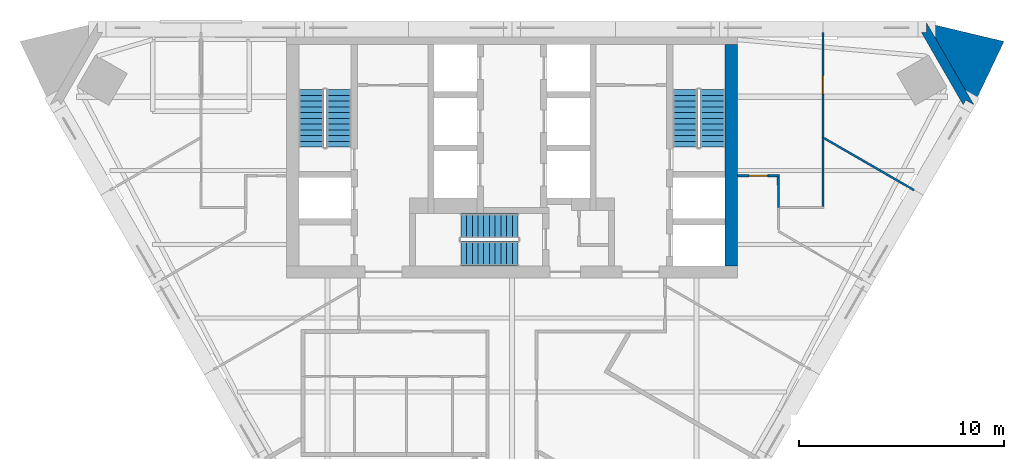
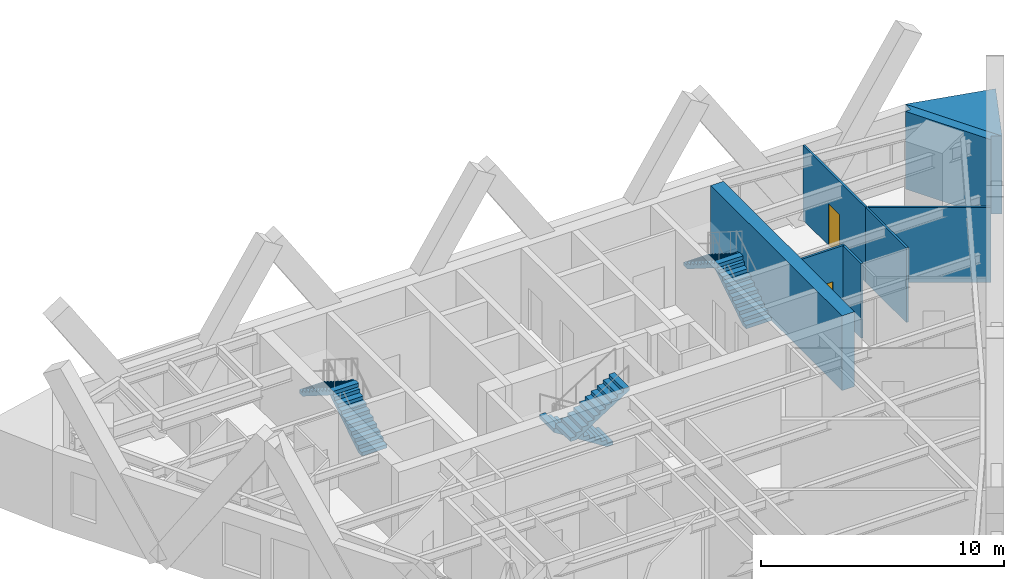
# One storey, part 6 of 7: 8 walls, 6 stair flights, 2 doors, 2 openings, 3 elements without a shape of their own.
"""IFC4 building model written with IfcOpenShell, lengths in metres."""

from ifc_helpers import new_model, si_unit, direction, frame, frame_2d, origin, place, context, subcontext, project, spatial, polyline, rectangle, outline, extrude, material, layer, layer_set, type_object, element, fill, aggregate, save


model = new_model("IFC4")

# Units and contexts
model_context = context("Model", 3, precision=1e-05, world=origin(), true_north=direction((0.0, 1.0)))
body_context = subcontext(model_context, "Body", "Model", "MODEL_VIEW")
ifc_project = project(units=[si_unit("LENGTHUNIT", "METRE"), si_unit("AREAUNIT", "SQUARE_METRE"), si_unit("VOLUMEUNIT", "CUBIC_METRE"), si_unit("PLANEANGLEUNIT", "RADIAN"), si_unit("MASSUNIT", "GRAM", prefix="KILO")], contexts=[model_context])

# Site, building, storey
site_placement = place(None, origin())
site = spatial("IfcSite", under=ifc_project, at=site_placement, CompositionType="ELEMENT")
building_placement = place(site_placement, origin())
building = spatial("IfcBuilding", under=site, at=building_placement, Name="Aloe Facet Convention Tower", CompositionType="ELEMENT")
storey_placement = place(building_placement, frame((0.0, 0.0, 136.39990234375)))
storey = spatial("IfcBuildingStorey", under=building, at=storey_placement, Name="L34", CompositionType="ELEMENT", Elevation=136.39990234375)

# Walls
ifc_material_1 = material(Name="Concrete C60/75", Category="concrete")
ifc_layer_1 = layer(ifc_material_1, 0.60009765625)
ifc_layer_set_1 = layer_set([ifc_layer_1], Name="CR-W-RC600-C6075")
wall_type_1 = type_object("IfcWallType", Name="CR-W-RC600-C6075", PredefinedType="SOLIDWALL", material=ifc_layer_set_1)
wall_1_placement = place(storey_placement, frame((90.699951171875, 133.949951171875, 0.0), z_axis=(0.0, 0.0, 1.0), x_axis=(0.0, -1.0, 0.0)))
element("IfcWall", 1, at=wall_1_placement, inside=storey, type_object=wall_type_1, Name="Core wall L34-031", PredefinedType="SOLIDWALL", context=body_context, shape_type="SweptSolid", body=[
    extrude(rectangle(XDim=10.800048828125, YDim=0.60009765625, at=frame_2d((5.39990234375, 0.0))), origin(), (0.0, 0.0, 1.0), 3.75),
])
ifc_material_2 = material(Name="Precast concrete C40/50", Category="concrete")
ifc_layer_2 = layer(ifc_material_2, 0.449951171875)
ifc_layer_set_2 = layer_set([ifc_layer_2], Name="EV-WALL-PIER")
wall_type_2 = type_object("IfcWallType", Name="EV-WALL-PIER", PredefinedType="SOLIDWALL", material=ifc_layer_set_2)
wall_2_placement = place(storey_placement, frame((0.0, 0.0, -0.14990234375)))
element("IfcWall", 2, at=wall_2_placement, inside=storey, type_object=wall_type_2, Name="EP-L34-C", PredefinedType="SOLIDWALL", context=body_context, shape_type="SweptSolid", body=[
    extrude(outline(polyline([(102.54296875, 131.016357421875), (102.1533203125, 131.2412109375), (102.0234375, 131.016357421875), (99.983154296875, 134.550048828125), (100.2431640625, 134.550048828125), (100.2431640625, 135.0), (102.54296875, 131.016357421875)])), origin(), (0.0, 0.0, 1.0), 3.89990234375),
])
ifc_material_3 = material(Name="Precast concrete C40/50", Category="concrete")
ifc_layer_3 = layer(ifc_material_3, 3.947998046875)
ifc_layer_set_3 = layer_set([ifc_layer_3], Name="EV-WALL-SPINE")
wall_type_3 = type_object("IfcWallType", Name="EV-WALL-SPINE", PredefinedType="SOLIDWALL", material=ifc_layer_set_3)
wall_3_placement = place(storey_placement, frame((0.0, 0.0, -0.14990234375)))
element("IfcWall", 3, at=wall_3_placement, inside=storey, type_object=wall_type_3, Name="SP-NE-L34", PredefinedType="SOLIDWALL", context=body_context, shape_type="SweptSolid", body=[
    extrude(outline(polyline([(102.54296875, 131.016357421875), (104.016357421875, 134.10302734375), (100.2431640625, 135.0), (102.54296875, 131.016357421875)])), origin(), (0.0, 0.0, 1.0), 3.89990234375),
])
ifc_material_4 = material(Name="Gypsum board partition on steel studs", Category="steel")
ifc_layer_4 = layer(ifc_material_4, 0.10009765625)
ifc_layer_set_4 = layer_set([ifc_layer_4], Name="IN-W-PART")
wall_type_4 = type_object("IfcWallType", Name="IN-W-PART", PredefinedType="PARTITIONING", material=ifc_layer_set_4)
wall_4_placement = place(storey_placement, frame((95.17236328125, 126.050048828125, 0.0), z_axis=(0.0, 0.0, 1.0), x_axis=(0.0, 1.0, 0.0)))
element("IfcWall", 4, at=wall_4_placement, inside=storey, type_object=wall_type_4, Name="Partition L34-W046", PredefinedType="PARTITIONING", context=body_context, shape_type="SweptSolid", body=[
    extrude(rectangle(XDim=3.36669921875, YDim=0.10009765625, at=frame_2d((1.683349609375, 0.0))), origin(), (0.0, 0.0, 1.0), 3.75),
])
wall_5_placement = place(storey_placement, frame((95.233154296875, 129.381591796875, 0.0), z_axis=(0.0, 0.0, 1.0), x_axis=(0.866041859802, -0.499971496258, 0.0)))
element("IfcWall", 5, at=wall_5_placement, inside=storey, type_object=wall_type_4, Name="Partition L34-W047", PredefinedType="PARTITIONING", context=body_context, shape_type="SweptSolid", body=[
    extrude(rectangle(XDim=5.063232421875, YDim=0.10009765625, at=frame_2d((2.53173828125, 0.0))), origin(), (0.0, 0.0, 1.0), 3.75),
])

# Wall, opening, door
wall_6_placement = place(storey_placement, frame((91.0, 127.547119140625, 0.0), z_axis=(0.0, 0.0, 1.0), x_axis=(1.0, 0.0, 0.0)))
wall_6 = element("IfcWall", 6, at=wall_6_placement, inside=storey, type_object=wall_type_4, Name="Partition L34-W049", PredefinedType="PARTITIONING", context=body_context, shape_type="SweptSolid", body=[
    extrude(rectangle(XDim=2.046875, YDim=0.10009765625, at=frame_2d((1.0234375, 0.0))), origin(), (0.0, 0.0, 1.0), 3.75),
])
opening_1_placement = place(wall_6_placement, frame((0.573486328125, 0.0, 0.0)))
opening_1 = element("IfcOpeningElement", 7, at=opening_1_placement, cuts=wall_6, Name="Opening L34-006", PredefinedType="OPENING", context=body_context, shape_type="SweptSolid", body=[
    extrude(rectangle(XDim=0.89990234375, YDim=2.10009765625, at=frame_2d((0.449951171875, 1.050048828125))), frame((0.0, 0.06005859375, 0.0), z_axis=(0.0, -1.0, 0.0), x_axis=(1.0, 0.0, 0.0)), (0.0, 0.0, 1.0), 0.1201171875),
])
ifc_material_5 = material(Name="Timber door", Category="wood")
door_type = type_object("IfcDoorType", Name="IN-OFF-D-ROOM", OperationType="SINGLE_SWING_LEFT", PredefinedType="DOOR", material=ifc_material_5)
door_1_placement = place(opening_1_placement, origin())
door_1 = element("IfcDoor", 8, at=door_1_placement, inside=storey, type_object=door_type, Name="Door L34-006", OperationType="SINGLE_SWING_LEFT", OverallHeight=2.10009765625, OverallWidth=0.89990234375, PredefinedType="DOOR", context=body_context, shape_type="SweptSolid", body=[
    extrude(rectangle(XDim=0.89990234375, YDim=2.10009765625, at=frame_2d((0.449951171875, 1.050048828125))), frame((0.0, 0.02490234375, 0.0), z_axis=(0.0, -1.0, 0.0), x_axis=(1.0, 0.0, 0.0)), (0.0, 0.0, 1.0), 0.050048828125),
])
fill(opening_1, door_1)

# Wall
wall_7_placement = place(storey_placement, frame((93.0, 126.0, 0.0), z_axis=(0.0, 0.0, 1.0), x_axis=(-0.001956943415, 0.999998085184, 0.0)))
element("IfcWall", 9, at=wall_7_placement, inside=storey, type_object=wall_type_4, Name="Partition L34-W050", PredefinedType="PARTITIONING", context=body_context, shape_type="SweptSolid", body=[
    extrude(rectangle(XDim=1.4970703125, YDim=0.10009765625, at=frame_2d((0.74853515625, 0.0))), origin(), (0.0, 0.0, 1.0), 3.75),
])

# Wall, opening, door
wall_8_placement = place(storey_placement, frame((95.17236328125, 129.416748046875, 0.0), z_axis=(0.0, 0.0, 1.0), x_axis=(0.0, 1.0, 0.0)))
wall_8 = element("IfcWall", 10, at=wall_8_placement, inside=storey, type_object=wall_type_4, Name="Partition L34-W053", PredefinedType="PARTITIONING", context=body_context, shape_type="SweptSolid", body=[
    extrude(rectangle(XDim=5.13330078125, YDim=0.10009765625, at=frame_2d((2.566650390625, 0.0))), origin(), (0.0, 0.0, 1.0), 3.75),
])
opening_2_placement = place(wall_8_placement, frame((2.11669921875, 0.0, 0.0)))
opening_2 = element("IfcOpeningElement", 11, at=opening_2_placement, cuts=wall_8, Name="Opening L34-017", PredefinedType="OPENING", context=body_context, shape_type="SweptSolid", body=[
    extrude(rectangle(XDim=0.89990234375, YDim=2.10009765625, at=frame_2d((0.449951171875, 1.050048828125))), frame((0.0, 0.06005859375, 0.0), z_axis=(0.0, -1.0, 0.0), x_axis=(1.0, 0.0, 0.0)), (0.0, 0.0, 1.0), 0.1201171875),
])
door_2_placement = place(opening_2_placement, origin())
door_2 = element("IfcDoor", 12, at=door_2_placement, inside=storey, type_object=door_type, Name="Door L34-017", OperationType="SINGLE_SWING_LEFT", OverallHeight=2.10009765625, OverallWidth=0.89990234375, PredefinedType="DOOR", context=body_context, shape_type="SweptSolid", body=[
    extrude(rectangle(XDim=0.89990234375, YDim=2.10009765625, at=frame_2d((0.449951171875, 1.050048828125))), frame((0.0, 0.02490234375, 0.0), z_axis=(0.0, -1.0, 0.0), x_axis=(1.0, 0.0, 0.0)), (0.0, 0.0, 1.0), 0.050048828125),
])
fill(opening_2, door_2)

# Stair, stair flights
ifc_material_6 = material(Name="Concrete C50/60", Category="concrete")
stair_type = type_object("IfcStairType", Name="CR-ST-22R", PredefinedType="HALF_TURN_STAIR", material=ifc_material_6)
stair_1_placement = place(storey_placement, origin())
stair_1 = element("IfcStair", 13, at=stair_1_placement, inside=storey, type_object=stair_type, Name="L34 Protected exit stair ST1", PredefinedType="HALF_TURN_STAIR")
ifc_material_7 = material(Name="Concrete C50/60", Category="concrete")
stair_flight_type = type_object("IfcStairFlightType", Name="CR-SFL-22R", PredefinedType="STRAIGHT", material=ifc_material_7)
stair_flight_1_placement = place(storey_placement, frame((71.550048828125, 128.949951171875, 0.0), z_axis=(0.0, 0.0, 1.0), x_axis=(0.0, 1.0, 0.0)))
stair_flight_1 = element("IfcStairFlight", 14, at=stair_flight_1_placement, type_object=stair_flight_type, Name="ST1 flight 1", NumberOfRisers=11, NumberOfTreads=10, PredefinedType="STRAIGHT", RiserHeight=0.177272727, TreadLength=0.28, context=body_context, shape_type="SweptSolid", body=[
    extrude(outline(polyline([(0.0, 0.0), (0.0, 0.17724609375), (0.280029296875, 0.17724609375), (0.280029296875, 0.3544921875), (0.56005859375, 0.3544921875), (0.56005859375, 0.53173828125), (0.840087890625, 0.53173828125), (0.840087890625, 0.708984375), (1.1201171875, 0.708984375), (1.1201171875, 0.886474609375), (1.39990234375, 0.886474609375), (1.39990234375, 1.063720703125), (1.679931640625, 1.063720703125), (1.679931640625, 1.240966796875), (1.9599609375, 1.240966796875), (1.9599609375, 1.418212890625), (2.239990234375, 1.418212890625), (2.239990234375, 1.595458984375), (2.52001953125, 1.595458984375), (2.52001953125, 1.772705078125), (2.800048828125, 1.772705078125), (2.800048828125, 1.949951171875), (2.800048828125, 1.59521484375), (0.2802734375, 0.0), (0.0, 0.0)])), frame((0.0, 0.60009765625, 0.0), z_axis=(0.0, -1.0, 0.0), x_axis=(1.0, 0.0, 0.0)), (0.0, 0.0, 1.0), 1.199951171875),
])
stair_flight_2_placement = place(storey_placement, frame((70.199951171875, 131.75, 1.9501953125), z_axis=(0.0, 0.0, 1.0), x_axis=(0.0, -1.0, 0.0)))
stair_flight_2 = element("IfcStairFlight", 15, at=stair_flight_2_placement, type_object=stair_flight_type, Name="ST1 flight 2", NumberOfRisers=11, NumberOfTreads=10, PredefinedType="STRAIGHT", RiserHeight=0.177272727, TreadLength=0.28, context=body_context, shape_type="SweptSolid", body=[
    extrude(outline(polyline([(0.0, 0.0), (0.0, 0.17724609375), (0.280029296875, 0.17724609375), (0.280029296875, 0.3544921875), (0.56005859375, 0.3544921875), (0.56005859375, 0.53173828125), (0.840087890625, 0.53173828125), (0.840087890625, 0.708984375), (1.1201171875, 0.708984375), (1.1201171875, 0.886474609375), (1.39990234375, 0.886474609375), (1.39990234375, 1.063720703125), (1.679931640625, 1.063720703125), (1.679931640625, 1.240966796875), (1.9599609375, 1.240966796875), (1.9599609375, 1.418212890625), (2.239990234375, 1.418212890625), (2.239990234375, 1.595458984375), (2.52001953125, 1.595458984375), (2.52001953125, 1.772705078125), (2.800048828125, 1.772705078125), (2.800048828125, 1.949951171875), (2.800048828125, 1.59521484375), (0.2802734375, 0.0), (0.0, 0.0)])), frame((0.0, 0.60009765625, 0.0), z_axis=(0.0, -1.0, 0.0), x_axis=(1.0, 0.0, 0.0)), (0.0, 0.0, 1.0), 1.199951171875),
])
aggregate(stair_1, [stair_flight_1, stair_flight_2])

stair_2_placement = place(storey_placement, origin())
stair_2 = element("IfcStair", 16, at=stair_2_placement, inside=storey, type_object=stair_type, Name="L34 Protected exit stair ST2", PredefinedType="HALF_TURN_STAIR")
stair_flight_3_placement = place(storey_placement, frame((89.800048828125, 128.949951171875, 0.0), z_axis=(0.0, 0.0, 1.0), x_axis=(0.0, 1.0, 0.0)))
stair_flight_3 = element("IfcStairFlight", 17, at=stair_flight_3_placement, type_object=stair_flight_type, Name="ST2 flight 1", NumberOfRisers=11, NumberOfTreads=10, PredefinedType="STRAIGHT", RiserHeight=0.177272727, TreadLength=0.28, context=body_context, shape_type="SweptSolid", body=[
    extrude(outline(polyline([(0.0, 0.0), (0.0, 0.17724609375), (0.280029296875, 0.17724609375), (0.280029296875, 0.3544921875), (0.56005859375, 0.3544921875), (0.56005859375, 0.53173828125), (0.840087890625, 0.53173828125), (0.840087890625, 0.708984375), (1.1201171875, 0.708984375), (1.1201171875, 0.886474609375), (1.39990234375, 0.886474609375), (1.39990234375, 1.063720703125), (1.679931640625, 1.063720703125), (1.679931640625, 1.240966796875), (1.9599609375, 1.240966796875), (1.9599609375, 1.418212890625), (2.239990234375, 1.418212890625), (2.239990234375, 1.595458984375), (2.52001953125, 1.595458984375), (2.52001953125, 1.772705078125), (2.800048828125, 1.772705078125), (2.800048828125, 1.949951171875), (2.800048828125, 1.59521484375), (0.2802734375, 0.0), (0.0, 0.0)])), frame((0.0, 0.60009765625, 0.0), z_axis=(0.0, -1.0, 0.0), x_axis=(1.0, 0.0, 0.0)), (0.0, 0.0, 1.0), 1.199951171875),
])
stair_flight_4_placement = place(storey_placement, frame((88.449951171875, 131.75, 1.9501953125), z_axis=(0.0, 0.0, 1.0), x_axis=(0.0, -1.0, 0.0)))
stair_flight_4 = element("IfcStairFlight", 18, at=stair_flight_4_placement, type_object=stair_flight_type, Name="ST2 flight 2", NumberOfRisers=11, NumberOfTreads=10, PredefinedType="STRAIGHT", RiserHeight=0.177272727, TreadLength=0.28, context=body_context, shape_type="SweptSolid", body=[
    extrude(outline(polyline([(0.0, 0.0), (0.0, 0.17724609375), (0.280029296875, 0.17724609375), (0.280029296875, 0.3544921875), (0.56005859375, 0.3544921875), (0.56005859375, 0.53173828125), (0.840087890625, 0.53173828125), (0.840087890625, 0.708984375), (1.1201171875, 0.708984375), (1.1201171875, 0.886474609375), (1.39990234375, 0.886474609375), (1.39990234375, 1.063720703125), (1.679931640625, 1.063720703125), (1.679931640625, 1.240966796875), (1.9599609375, 1.240966796875), (1.9599609375, 1.418212890625), (2.239990234375, 1.418212890625), (2.239990234375, 1.595458984375), (2.52001953125, 1.595458984375), (2.52001953125, 1.772705078125), (2.800048828125, 1.772705078125), (2.800048828125, 1.949951171875), (2.800048828125, 1.59521484375), (0.2802734375, 0.0), (0.0, 0.0)])), frame((0.0, 0.60009765625, 0.0), z_axis=(0.0, -1.0, 0.0), x_axis=(1.0, 0.0, 0.0)), (0.0, 0.0, 1.0), 1.199951171875),
])
aggregate(stair_2, [stair_flight_3, stair_flight_4])

stair_3_placement = place(storey_placement, origin())
stair_3 = element("IfcStair", 19, at=stair_3_placement, inside=storey, type_object=stair_type, Name="L34 Protected exit stair ST3", PredefinedType="HALF_TURN_STAIR")
stair_flight_5_placement = place(storey_placement, frame((80.300048828125, 125.10009765625, 0.0), z_axis=(0.0, 0.0, 1.0), x_axis=(-1.0, 0.0, 0.0)))
stair_flight_5 = element("IfcStairFlight", 20, at=stair_flight_5_placement, type_object=stair_flight_type, Name="ST3 flight 1", NumberOfRisers=11, NumberOfTreads=10, PredefinedType="STRAIGHT", RiserHeight=0.177272727, TreadLength=0.28, context=body_context, shape_type="SweptSolid", body=[
    extrude(outline(polyline([(0.0, 0.0), (0.0, 0.17724609375), (0.280029296875, 0.17724609375), (0.280029296875, 0.3544921875), (0.56005859375, 0.3544921875), (0.56005859375, 0.53173828125), (0.840087890625, 0.53173828125), (0.840087890625, 0.708984375), (1.1201171875, 0.708984375), (1.1201171875, 0.886474609375), (1.39990234375, 0.886474609375), (1.39990234375, 1.063720703125), (1.679931640625, 1.063720703125), (1.679931640625, 1.240966796875), (1.9599609375, 1.240966796875), (1.9599609375, 1.418212890625), (2.239990234375, 1.418212890625), (2.239990234375, 1.595458984375), (2.52001953125, 1.595458984375), (2.52001953125, 1.772705078125), (2.800048828125, 1.772705078125), (2.800048828125, 1.949951171875), (2.800048828125, 1.59521484375), (0.2802734375, 0.0), (0.0, 0.0)])), frame((0.0, 0.60009765625, 0.0), z_axis=(0.0, -1.0, 0.0), x_axis=(1.0, 0.0, 0.0)), (0.0, 0.0, 1.0), 1.199951171875),
])
stair_flight_6_placement = place(storey_placement, frame((77.5, 123.75, 1.9501953125), z_axis=(0.0, 0.0, 1.0), x_axis=(1.0, 0.0, 0.0)))
stair_flight_6 = element("IfcStairFlight", 21, at=stair_flight_6_placement, type_object=stair_flight_type, Name="ST3 flight 2", NumberOfRisers=11, NumberOfTreads=10, PredefinedType="STRAIGHT", RiserHeight=0.177272727, TreadLength=0.28, context=body_context, shape_type="SweptSolid", body=[
    extrude(outline(polyline([(0.0, 0.0), (0.0, 0.17724609375), (0.280029296875, 0.17724609375), (0.280029296875, 0.3544921875), (0.56005859375, 0.3544921875), (0.56005859375, 0.53173828125), (0.840087890625, 0.53173828125), (0.840087890625, 0.708984375), (1.1201171875, 0.708984375), (1.1201171875, 0.886474609375), (1.39990234375, 0.886474609375), (1.39990234375, 1.063720703125), (1.679931640625, 1.063720703125), (1.679931640625, 1.240966796875), (1.9599609375, 1.240966796875), (1.9599609375, 1.418212890625), (2.239990234375, 1.418212890625), (2.239990234375, 1.595458984375), (2.52001953125, 1.595458984375), (2.52001953125, 1.772705078125), (2.800048828125, 1.772705078125), (2.800048828125, 1.949951171875), (2.800048828125, 1.59521484375), (0.2802734375, 0.0), (0.0, 0.0)])), frame((0.0, 0.60009765625, 0.0), z_axis=(0.0, -1.0, 0.0), x_axis=(1.0, 0.0, 0.0)), (0.0, 0.0, 1.0), 1.199951171875),
])
aggregate(stair_3, [stair_flight_5, stair_flight_6])

save(model, "model.ifc")
